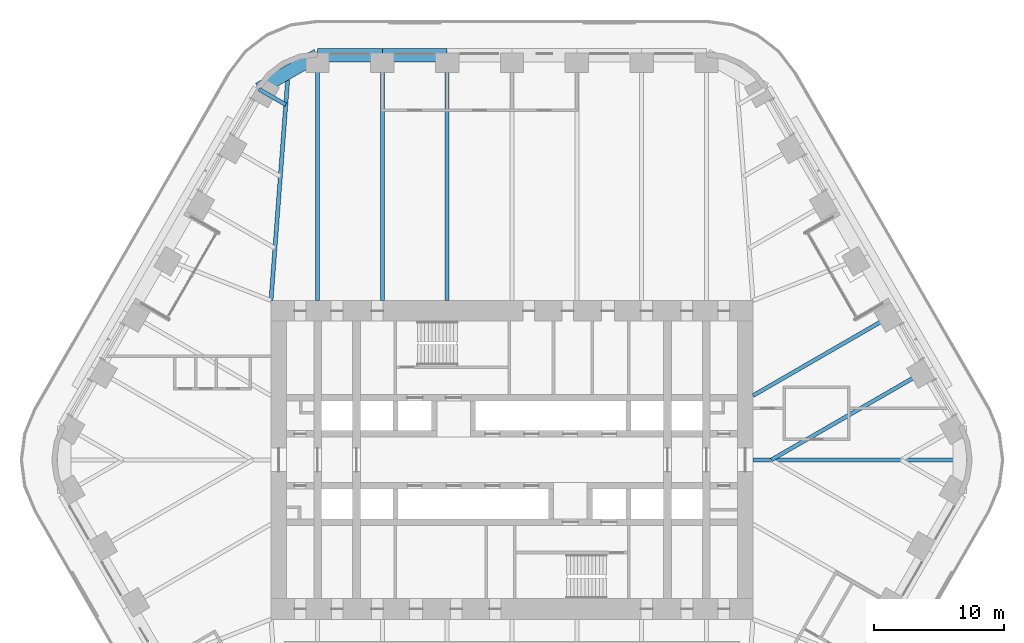
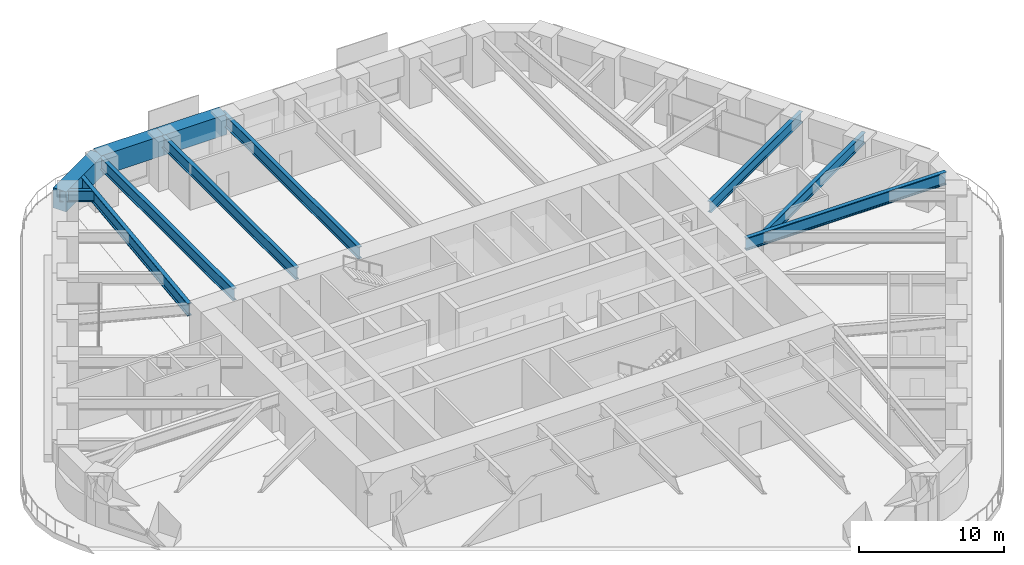
# One storey, part 10 of 24: 11 beams.
"""IFC4 building model written with IfcOpenShell, lengths in metres."""

from ifc_helpers import new_model, si_unit, direction, frame, origin, origin_2d, place, context, subcontext, project, spatial, rectangle, i_section, extrude, material, material_profile, profile_set, type_object, element, save


model = new_model("IFC4")

# Units and contexts
model_context = context("Model", 3, precision=1e-05, world=origin(), true_north=direction((0.0, 1.0)))
body_context = subcontext(model_context, "Body", "Model", "MODEL_VIEW")
ifc_project = project(units=[si_unit("LENGTHUNIT", "METRE"), si_unit("AREAUNIT", "SQUARE_METRE"), si_unit("VOLUMEUNIT", "CUBIC_METRE"), si_unit("PLANEANGLEUNIT", "RADIAN"), si_unit("MASSUNIT", "GRAM", prefix="KILO")], contexts=[model_context])

# Site, building, storey
site_placement = place(None, origin())
site = spatial("IfcSite", under=ifc_project, at=site_placement, CompositionType="ELEMENT")
building_placement = place(site_placement, origin())
building = spatial("IfcBuilding", under=site, at=building_placement, Name="Tarfa Lantern Tower", CompositionType="ELEMENT")
storey_placement = place(building_placement, frame((0.0, 0.0, 123.699951171875)))
storey = spatial("IfcBuildingStorey", under=building, at=storey_placement, Name="L27", CompositionType="ELEMENT", Elevation=123.699951171875)

# Beams
ifc_material_1 = material(Name="Concrete C80/95", Category="concrete")
ifc_material_profile_1 = material_profile(ifc_material_1, rectangle(XDim=1.050048828125, YDim=1.699951171875, at=origin_2d()), Name="RC 1050x1700")
ifc_profile_set_1 = profile_set([ifc_material_profile_1], Name="Concrete C80/95")
beam_type_1 = type_object("IfcBeamType", Name="RB2 RC 1050x1700", PredefinedType="BEAM", material=ifc_profile_set_1)
for number, where, z_axis, x_axis, name in (
    (1, (-5.003662109375, 31.219970703125, 3.150146484375), (-1.0, 0.0, 0.0), (0.0, -1.0, 0.0), "Edge beam N4"),
    (2, (-10.00732421875, 31.219970703125, 3.150146484375), (-1.0, 0.0, 0.0), (0.0, -1.0, 0.0), "Edge beam N5"),
):
    element("IfcBeam", number, at=place(storey_placement, frame(where, z_axis=z_axis, x_axis=x_axis)), inside=storey, type_object=beam_type_1, Name=name, PredefinedType="BEAM", context=body_context, shape_type="SweptSolid", body=[
        extrude(rectangle(XDim=1.050048828125, YDim=1.699951171875, at=origin_2d()), origin(), (0.0, 0.0, 1.0), 5.003662109375),
    ])
beam_1_placement = place(storey_placement, frame((-15.010986328125, 31.219970703125, 3.150146484375), z_axis=(-0.86604150238, -0.499972115377, 0.0), x_axis=(0.499972115377, -0.86604150238, 0.0)))
element("IfcBeam", 3, at=beam_1_placement, inside=storey, type_object=beam_type_1, Name="Edge beam N6", PredefinedType="BEAM", context=body_context, shape_type="SweptSolid", body=[
    extrude(rectangle(XDim=1.050048828125, YDim=1.699951171875, at=origin_2d()), origin(), (0.0, 0.0, 1.0), 5.219970703125),
])
ifc_material_2 = material(Name="Steel S460M", Category="steel")
ifc_material_profile_2 = material_profile(ifc_material_2, i_section(OverallWidth=0.302001953125, OverallDepth=1.008056640625, WebThickness=0.02099609375, FlangeThickness=0.0400390625, FilletRadius=0.030029296875, at=origin_2d()), Name="UB1016x305x349")
ifc_profile_set_2 = profile_set([ifc_material_profile_2], Name="Steel S460M")
beam_type_2 = type_object("IfcBeamType", Name="UB1016x305x349", PredefinedType="BEAM", material=ifc_profile_set_2)
for number, where, z_axis, x_axis, name in (
    (4, (-5.003662109375, 31.219970703125, 3.49609375), (0.0, -1.0, 0.0), (1.0, 0.0, 0.0), "Floor beam N4"),
    (5, (-10.00732421875, 31.219970703125, 3.49609375), (0.0, -1.0, 0.0), (1.0, 0.0, 0.0), "Floor beam N5"),
    (6, (-15.010986328125, 31.219970703125, 3.49609375), (0.0, -1.0, 0.0), (1.0, 0.0, 0.0), "Floor beam N6"),
):
    element("IfcBeam", number, at=place(storey_placement, frame(where, z_axis=z_axis, x_axis=x_axis)), inside=storey, type_object=beam_type_2, Name=name, PredefinedType="BEAM", context=body_context, shape_type="SweptSolid", body=[
        extrude(i_section(OverallWidth=0.302001953125, OverallDepth=1.008056640625, WebThickness=0.02099609375, FlangeThickness=0.0400390625, FilletRadius=0.030029296875, at=origin_2d()), origin(), (0.0, 0.0, 1.0), 18.919921875),
    ])
ifc_material_profile_3 = material_profile(ifc_material_2, i_section(OverallWidth=0.314208984375, OverallDepth=1.055908203125, WebThickness=0.035888671875, FlangeThickness=0.06396484375, FilletRadius=0.030029296875, at=origin_2d()), Name="UB1016x305x584")
ifc_profile_set_3 = profile_set([ifc_material_profile_3], Name="Steel S460M")
beam_type_3 = type_object("IfcBeamType", Name="UB1016x305x584", PredefinedType="BEAM", material=ifc_profile_set_3)
beam_2_placement = place(storey_placement, frame((18.60009765625, 0.0, 3.47216796875), z_axis=(1.0, 0.0, 0.0), x_axis=(0.0, 1.0, 0.0)))
element("IfcBeam", 7, at=beam_2_placement, inside=storey, type_object=beam_type_3, Name="Hip girder E", PredefinedType="BEAM", context=body_context, shape_type="SweptSolid", body=[
    extrude(i_section(OverallWidth=0.314208984375, OverallDepth=1.055908203125, WebThickness=0.035888671875, FlangeThickness=0.06396484375, FilletRadius=0.030029296875, at=origin_2d()), origin(), (0.0, 0.0, 1.0), 15.94287109375),
])
beam_3_placement = place(storey_placement, frame((-18.60009765625, 12.300048828125, 3.47216796875), z_axis=(0.075211516041, 0.99716760269, 0.0), x_axis=(-0.99716760269, 0.075211516041, 0.0)))
element("IfcBeam", 8, at=beam_3_placement, inside=storey, type_object=beam_type_3, Name="Hip girder NW", PredefinedType="BEAM", context=body_context, shape_type="SweptSolid", body=[
    extrude(i_section(OverallWidth=0.314208984375, OverallDepth=1.055908203125, WebThickness=0.035888671875, FlangeThickness=0.06396484375, FilletRadius=0.030029296875, at=origin_2d()), origin(), (0.0, 0.0, 1.0), 17.6650390625),
])
ifc_material_profile_4 = material_profile(ifc_material_2, i_section(OverallWidth=0.305419921875, OverallDepth=0.91845703125, WebThickness=0.017333984375, FlangeThickness=0.02783203125, FilletRadius=0.01904296875, at=origin_2d()), Name="UB914x305x253")
ifc_profile_set_4 = profile_set([ifc_material_profile_4], Name="Steel S460M")
beam_type_4 = type_object("IfcBeamType", Name="UB914x305x253", PredefinedType="BEAM", material=ifc_profile_set_4)
beam_4_placement = place(storey_placement, frame((32.041015625, 6.943359375, 3.540771484375), z_axis=(-0.866023096411, -0.500003996466, 0.0), x_axis=(0.500003996466, -0.866023096411, 0.0)))
element("IfcBeam", 9, at=beam_4_placement, inside=storey, type_object=beam_type_4, Name="Floor beam NE1", PredefinedType="BEAM", context=body_context, shape_type="SweptSolid", body=[
    extrude(i_section(OverallWidth=0.305419921875, OverallDepth=0.91845703125, WebThickness=0.017333984375, FlangeThickness=0.02783203125, FilletRadius=0.01904296875, at=origin_2d()), origin(), (0.0, 0.0, 1.0), 13.88671875),
])
beam_5_placement = place(storey_placement, frame((29.5390625, 11.276611328125, 3.540771484375), z_axis=(-0.866023362995, -0.500003534735, 0.0), x_axis=(0.500003534735, -0.866023362995, 0.0)))
element("IfcBeam", 10, at=beam_5_placement, inside=storey, type_object=beam_type_4, Name="Floor beam NE2", PredefinedType="BEAM", context=body_context, shape_type="SweptSolid", body=[
    extrude(i_section(OverallWidth=0.305419921875, OverallDepth=0.91845703125, WebThickness=0.017333984375, FlangeThickness=0.02783203125, FilletRadius=0.01904296875, at=origin_2d()), origin(), (0.0, 0.0, 1.0), 12.63134765625),
])
beam_6_placement = place(storey_placement, frame((-19.53173828125, 28.610107421875, 3.540771484375), z_axis=(0.865998640954, -0.500046351717, 0.0), x_axis=(0.500046351717, 0.865998640954, 0.0)))
element("IfcBeam", 11, at=beam_6_placement, inside=storey, type_object=beam_type_4, Name="Floor beam NW0", PredefinedType="BEAM", context=body_context, shape_type="SweptSolid", body=[
    extrude(i_section(OverallWidth=0.305419921875, OverallDepth=0.91845703125, WebThickness=0.017333984375, FlangeThickness=0.02783203125, FilletRadius=0.01904296875, at=origin_2d()), origin(), (0.0, 0.0, 1.0), 2.392333984375),
])

save(model, "model.ifc")
